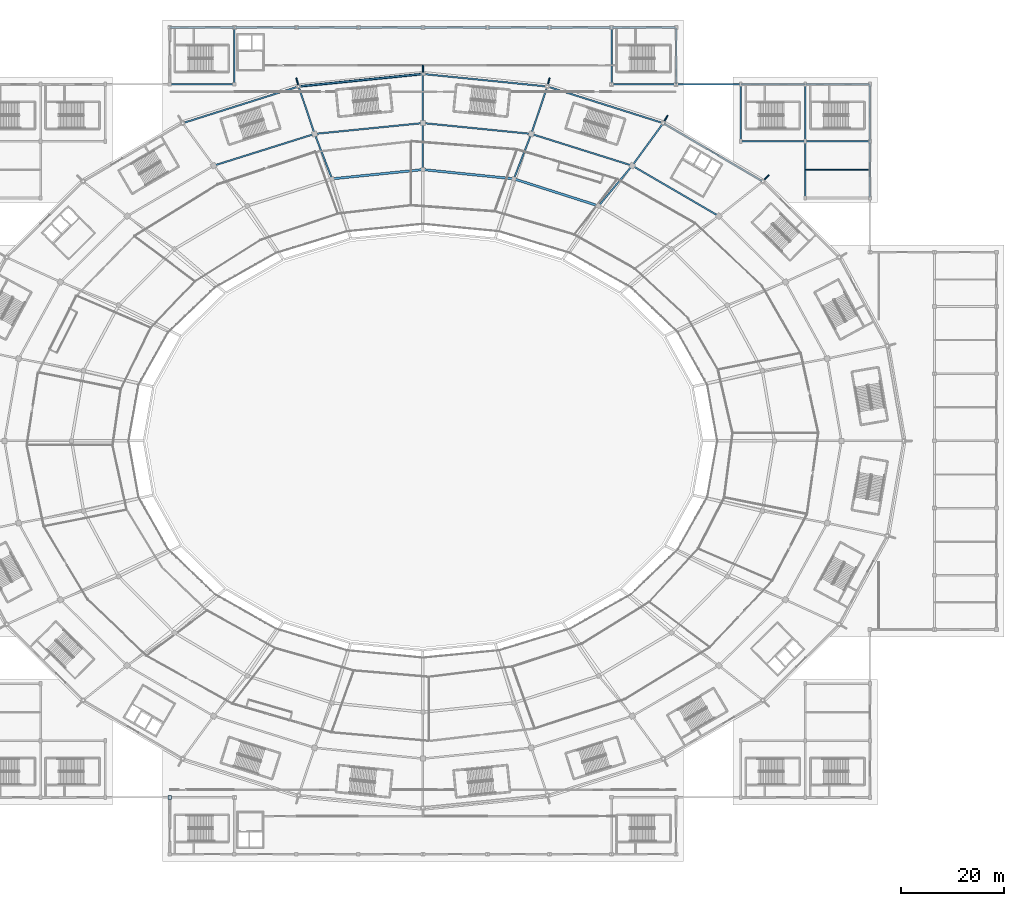
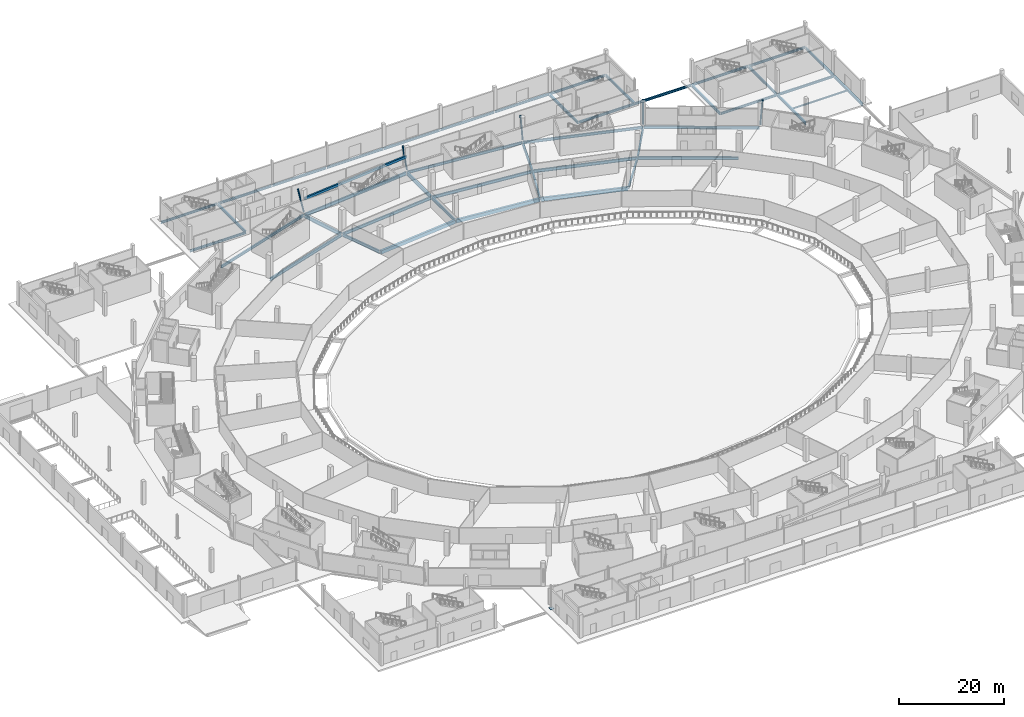
# One storey, part 27 of 82: 46 beams, 5 members, 1 plate.
"""IFC4 building model written with IfcOpenShell, lengths in metres."""

from ifc_helpers import new_model, si_unit, direction, frame, origin, origin_2d, place, context, subcontext, project, spatial, rectangle, hollow_circle, i_section, extrude, material, layer, layer_set, material_profile, profile_set, type_object, element, save


model = new_model("IFC4")

# Units and contexts
model_context = context("Model", 3, precision=1e-05, world=origin(), true_north=direction((0.0, 1.0)))
body_context = subcontext(model_context, "Body", "Model", "MODEL_VIEW")
ifc_project = project(units=[si_unit("LENGTHUNIT", "METRE"), si_unit("AREAUNIT", "SQUARE_METRE"), si_unit("VOLUMEUNIT", "CUBIC_METRE"), si_unit("PLANEANGLEUNIT", "RADIAN"), si_unit("MASSUNIT", "GRAM", prefix="KILO")], contexts=[model_context])

# Site, building, storey
site_placement = place(None, origin())
site = spatial("IfcSite", under=ifc_project, at=site_placement, CompositionType="ELEMENT")
building_placement = place(site_placement, origin())
building = spatial("IfcBuilding", under=site, at=building_placement, Name="Zlatoyarsky Gate Stadium", CompositionType="ELEMENT")
storey_placement = place(building_placement, origin())
storey = spatial("IfcBuildingStorey", under=building, at=storey_placement, Name="L00", CompositionType="ELEMENT", Elevation=0.0)

# Beams
ifc_material_1 = material(Name="Concrete C40/50", Category="concrete")
ifc_material_profile_1 = material_profile(ifc_material_1, rectangle(XDim=0.449951171875, YDim=0.800048828125, at=origin_2d()), Name="RC BEAM 450X800")
ifc_profile_set_1 = profile_set([ifc_material_profile_1], Name="Concrete C40/50")
beam_type_1 = type_object("IfcBeamType", Name="CONCRETE FLOOR BEAM 450X800", PredefinedType="BEAM", material=ifc_profile_set_1)
beam_1_placement = place(storey_placement, frame((144.8857421875, 125.5029296875, -0.75), z_axis=(-0.952480396568, 0.304599891914, 0.0), x_axis=(-0.304599891914, -0.952480396568, 0.0)))
element("IfcBeam", 1, at=beam_1_placement, inside=storey, type_object=beam_type_1, Name="Beam B-RC80 BM-L00-CRA-04", PredefinedType="BEAM", context=body_context, shape_type="SweptSolid", body=[
    extrude(rectangle(XDim=0.449951171875, YDim=0.800048828125, at=origin_2d()), origin(), (0.0, 0.0, 1.0), 16.978515625),
])
for number, where, z_axis, x_axis, name in (
    (2, (128.480224609375, 130.72314453125, -0.75), (-0.994873800639, 0.101124283941, 0.0), (-0.101124283941, -0.994873800639, 0.0), "Beam B-RC80 BM-L00-CRA-05"),
    (3, (110.880615234375, 132.48779296875, -0.75), (-0.994873800639, -0.101124283941, 0.0), (0.101124283941, -0.994873800639, 0.0), "Beam B-RC80 BM-L00-CRA-06"),
):
    element("IfcBeam", number, at=place(storey_placement, frame(where, z_axis=z_axis, x_axis=x_axis)), inside=storey, type_object=beam_type_1, Name=name, PredefinedType="BEAM", context=body_context, shape_type="SweptSolid", body=[
        extrude(rectangle(XDim=0.449951171875, YDim=0.800048828125, at=origin_2d()), origin(), (0.0, 0.0, 1.0), 17.4501953125),
    ])
ifc_material_profile_2 = material_profile(ifc_material_1, rectangle(XDim=0.35009765625, YDim=0.550048828125, at=origin_2d()), Name="RC LINTEL 350X550")
ifc_profile_set_2 = profile_set([ifc_material_profile_2], Name="Concrete C40/50")
beam_type_2 = type_object("IfcBeamType", Name="CONCRETE OPENING LINTEL 350X550", PredefinedType="LINTEL", material=ifc_profile_set_2)
beam_2_placement = place(storey_placement, frame((110.880615234375, 150.988037109375, 3.125), z_axis=(-0.994986905268, -0.100005291586, 0.0), x_axis=(0.100005291586, -0.994986905268, 0.0)))
element("IfcBeam", 4, at=beam_2_placement, inside=storey, type_object=beam_type_2, Name="Beam LN-RC55 BM-L00-LNT-06", PredefinedType="LINTEL", context=body_context, shape_type="SweptSolid", body=[
    extrude(rectangle(XDim=0.35009765625, YDim=0.550048828125, at=origin_2d()), origin(), (0.0, 0.0, 1.0), 23.951416015625),
])

# Members
ifc_material_2 = material(Name="Steel S355", Category="steel")
ifc_material_profile_3 = material_profile(ifc_material_2, hollow_circle(Radius=0.177734375, WallThickness=0.02001953125, at=origin_2d()), Name="CHS 355.6X20")
ifc_profile_set_3 = profile_set([ifc_material_profile_3], Name="Steel S355")
member_type = type_object("IfcMemberType", Name="STEEL LEANING RIB RING STRUT CHS 355.6X20", PredefinedType="STRUT", material=ifc_profile_set_3)
member_1_placement = place(storey_placement, frame((176.760986328125, 130.20458984375, 0.0), z_axis=(0.224639634245, 0.224687860873, 0.948183737417), x_axis=(-0.707182671369, 0.707030882858, 0.0)))
element("IfcMember", 5, at=member_1_placement, inside=storey, type_object=member_type, Name="Leaning ring strut 03 L00 to L01", PredefinedType="STRUT", context=body_context, shape_type="SweptSolid", body=[
    extrude(hollow_circle(Radius=0.177734375, WallThickness=0.02001953125, at=origin_2d()), origin(), (0.0, 0.0, 1.0), 5.062255859375),
])
member_2_placement = place(storey_placement, frame((157.5, 141.48779296875, 0.0), z_axis=(0.158857473848, 0.275179339945, 0.948177532886), x_axis=(-0.866049104564, 0.499958946799, 0.0)))
element("IfcMember", 6, at=member_2_placement, inside=storey, type_object=member_type, Name="Leaning ring strut 04 L00 to L01", PredefinedType="STRUT", context=body_context, shape_type="SweptSolid", body=[
    extrude(hollow_circle(Radius=0.177734375, WallThickness=0.02001953125, at=origin_2d()), origin(), (0.0, 0.0, 1.0), 5.0625),
])
member_3_placement = place(storey_placement, frame((135.0703125, 148.580810546875, 0.0), z_axis=(0.084764257312, 0.31638694049, 0.944835607167), x_axis=(-0.965934502333, 0.258786663494, 0.0)))
element("IfcMember", 7, at=member_3_placement, inside=storey, type_object=member_type, Name="Leaning ring strut 05 L00 to L01", PredefinedType="STRUT", context=body_context, shape_type="SweptSolid", body=[
    extrude(hollow_circle(Radius=0.177734375, WallThickness=0.02001953125, at=origin_2d()), origin(), (0.0, 0.0, 1.0), 4.910888671875),
])
member_4_placement = place(storey_placement, frame((111.0, 151.0, 0.0), z_axis=(0.0, 0.327525462718, 0.944842352603), x_axis=(-1.0, 0.0, 0.0)))
element("IfcMember", 8, at=member_4_placement, inside=storey, type_object=member_type, Name="Leaning ring strut 06 L00 to L01", PredefinedType="STRUT", context=body_context, shape_type="SweptSolid", body=[
    extrude(hollow_circle(Radius=0.177734375, WallThickness=0.02001953125, at=origin_2d()), origin(), (0.0, 0.0, 1.0), 4.91064453125),
])
member_5_placement = place(storey_placement, frame((86.9296875, 148.580810546875, 0.0), z_axis=(-0.084764257312, 0.31638694049, 0.944835607167), x_axis=(-0.965934502333, -0.258786663494, 0.0)))
element("IfcMember", 9, at=member_5_placement, inside=storey, type_object=member_type, Name="Leaning ring strut 07 L00 to L01", PredefinedType="STRUT", context=body_context, shape_type="SweptSolid", body=[
    extrude(hollow_circle(Radius=0.177734375, WallThickness=0.02001953125, at=origin_2d()), origin(), (0.0, 0.0, 1.0), 4.910888671875),
])

# Beams
ifc_material_profile_4 = material_profile(ifc_material_2, i_section(OverallWidth=0.300048828125, OverallDepth=0.5, WebThickness=0.014404296875, FlangeThickness=0.028076171875, FilletRadius=0.027099609375, at=origin_2d()), Name="HEB 500")
ifc_profile_set_4 = profile_set([ifc_material_profile_4], Name="Steel S355")
beam_type_3 = type_object("IfcBeamType", Name="STEEL PRIMARY GIRDER HEB 500", PredefinedType="BEAM", material=ifc_profile_set_4)
beam_3_placement = place(storey_placement, frame((111.080078125, 160.0, -0.60009765625), z_axis=(1.0, 0.0, 0.0), x_axis=(0.0, 1.0, 0.0)))
element("IfcBeam", 10, at=beam_3_placement, inside=storey, type_object=beam_type_3, Name="Beam G-HEB500 BM-L00-WGX-10-Q", PredefinedType="BEAM", context=body_context, shape_type="SweptSolid", body=[
    extrude(i_section(OverallWidth=0.300048828125, OverallDepth=0.5, WebThickness=0.014404296875, FlangeThickness=0.028076171875, FilletRadius=0.027099609375, at=origin_2d()), origin(), (0.0, 0.0, 1.0), 12.33984375),
])
for number, where, z_axis, x_axis, name in (
    (11, (123.580078125, 160.0, -0.60009765625), (1.0, 0.0, 0.0), (0.0, 1.0, 0.0), "Beam G-HEB500 BM-L00-WGX-11-Q"),
    (12, (135.580078125, 160.0, -0.60009765625), (1.0, 0.0, 0.0), (0.0, 1.0, 0.0), "Beam G-HEB500 BM-L00-WGX-12-Q"),
):
    element("IfcBeam", number, at=place(storey_placement, frame(where, z_axis=z_axis, x_axis=x_axis)), inside=storey, type_object=beam_type_3, Name=name, PredefinedType="BEAM", context=body_context, shape_type="SweptSolid", body=[
        extrude(i_section(OverallWidth=0.300048828125, OverallDepth=0.5, WebThickness=0.014404296875, FlangeThickness=0.028076171875, FilletRadius=0.027099609375, at=origin_2d()), origin(), (0.0, 0.0, 1.0), 11.83984375),
    ])
for number, where, z_axis, x_axis, name in (
    (13, (147.580078125, 149.0, -0.60009765625), (1.0, 0.0, 0.0), (0.0, 1.0, 0.0), "Beam G-HEB500 BM-L00-WGX-13-P"),
    (14, (147.580078125, 160.0, -0.60009765625), (1.0, 0.0, 0.0), (0.0, 1.0, 0.0), "Beam G-HEB500 BM-L00-WGX-13-Q"),
    (15, (160.080078125, 149.0, -0.60009765625), (1.0, 0.0, 0.0), (0.0, 1.0, 0.0), "Beam G-HEB500 BM-L00-WGX-14-P"),
    (16, (172.580078125, 138.0, -0.60009765625), (1.0, 0.0, 0.0), (0.0, 1.0, 0.0), "Beam G-HEB500 BM-L00-WGX-15-N"),
    (17, (172.580078125, 149.0, -0.60009765625), (1.0, 0.0, 0.0), (0.0, 1.0, 0.0), "Beam G-HEB500 BM-L00-WGX-15-P"),
    (18, (185.080078125, 138.0, -0.60009765625), (1.0, 0.0, 0.0), (0.0, 1.0, 0.0), "Beam G-HEB500 BM-L00-WGX-16-N"),
    (19, (185.080078125, 149.0, -0.60009765625), (1.0, 0.0, 0.0), (0.0, 1.0, 0.0), "Beam G-HEB500 BM-L00-WGX-16-P"),
    (20, (62.080078125, 149.0, -0.60009765625), (1.0, 0.0, 0.0), (0.0, 1.0, 0.0), "Beam G-HEB500 BM-L00-WGX-6-P"),
    (21, (62.080078125, 160.0, -0.60009765625), (1.0, 0.0, 0.0), (0.0, 1.0, 0.0), "Beam G-HEB500 BM-L00-WGX-6-Q"),
):
    element("IfcBeam", number, at=place(storey_placement, frame(where, z_axis=z_axis, x_axis=x_axis)), inside=storey, type_object=beam_type_3, Name=name, PredefinedType="BEAM", context=body_context, shape_type="SweptSolid", body=[
        extrude(i_section(OverallWidth=0.300048828125, OverallDepth=0.5, WebThickness=0.014404296875, FlangeThickness=0.028076171875, FilletRadius=0.027099609375, at=origin_2d()), origin(), (0.0, 0.0, 1.0), 12.33984375),
    ])
for number, where, z_axis, x_axis, name in (
    (22, (74.580078125, 160.0, -0.60009765625), (1.0, 0.0, 0.0), (0.0, 1.0, 0.0), "Beam G-HEB500 BM-L00-WGX-7-Q"),
    (23, (86.580078125, 160.0, -0.60009765625), (1.0, 0.0, 0.0), (0.0, 1.0, 0.0), "Beam G-HEB500 BM-L00-WGX-8-Q"),
):
    element("IfcBeam", number, at=place(storey_placement, frame(where, z_axis=z_axis, x_axis=x_axis)), inside=storey, type_object=beam_type_3, Name=name, PredefinedType="BEAM", context=body_context, shape_type="SweptSolid", body=[
        extrude(i_section(OverallWidth=0.300048828125, OverallDepth=0.5, WebThickness=0.014404296875, FlangeThickness=0.028076171875, FilletRadius=0.027099609375, at=origin_2d()), origin(), (0.0, 0.0, 1.0), 11.83984375),
    ])
beam_4_placement = place(storey_placement, frame((98.580078125, 160.0, -0.60009765625), z_axis=(1.0, 0.0, 0.0), x_axis=(0.0, 1.0, 0.0)))
element("IfcBeam", 24, at=beam_4_placement, inside=storey, type_object=beam_type_3, Name="Beam G-HEB500 BM-L00-WGX-9-Q", PredefinedType="BEAM", context=body_context, shape_type="SweptSolid", body=[
    extrude(i_section(OverallWidth=0.300048828125, OverallDepth=0.5, WebThickness=0.014404296875, FlangeThickness=0.028076171875, FilletRadius=0.027099609375, at=origin_2d()), origin(), (0.0, 0.0, 1.0), 12.33984375),
])
ifc_material_profile_5 = material_profile(ifc_material_2, i_section(OverallWidth=0.300048828125, OverallDepth=0.60009765625, WebThickness=0.015380859375, FlangeThickness=0.030029296875, FilletRadius=0.027099609375, at=origin_2d()), Name="HEB 600")
ifc_profile_set_5 = profile_set([ifc_material_profile_5], Name="Steel S355")
beam_type_4 = type_object("IfcBeamType", Name="STEEL PRIMARY GIRDER HEB 600", PredefinedType="BEAM", material=ifc_profile_set_5)
beam_5_placement = place(storey_placement, frame((176.657470703125, 130.265380859375, -0.64990234375), z_axis=(-0.862854775092, 0.505451913738, 0.0), x_axis=(-0.505451913738, -0.862854775092, 0.0)))
element("IfcBeam", 25, at=beam_5_placement, inside=storey, type_object=beam_type_4, Name="Beam G-HEB600 BM-L00-CRC-03", PredefinedType="BEAM", context=body_context, shape_type="SweptSolid", body=[
    extrude(i_section(OverallWidth=0.300048828125, OverallDepth=0.60009765625, WebThickness=0.015380859375, FlangeThickness=0.030029296875, FilletRadius=0.027099609375, at=origin_2d()), origin(), (0.0, 0.0, 1.0), 22.08251953125),
])
beam_6_placement = place(storey_placement, frame((157.385498046875, 141.52392578125, -0.64990234375), z_axis=(-0.953463107403, 0.301509706015, 0.0), x_axis=(-0.301509706015, -0.953463107403, 0.0)))
element("IfcBeam", 26, at=beam_6_placement, inside=storey, type_object=beam_type_4, Name="Beam G-HEB600 BM-L00-CRC-04", PredefinedType="BEAM", context=body_context, shape_type="SweptSolid", body=[
    extrude(i_section(OverallWidth=0.300048828125, OverallDepth=0.60009765625, WebThickness=0.015380859375, FlangeThickness=0.030029296875, FilletRadius=0.027099609375, at=origin_2d()), origin(), (0.0, 0.0, 1.0), 23.284423828125),
])
beam_7_placement = place(storey_placement, frame((134.95068359375, 148.5927734375, -0.64990234375), z_axis=(-0.994986905268, 0.100005291586, 0.0), x_axis=(-0.100005291586, -0.994986905268, 0.0)))
element("IfcBeam", 27, at=beam_7_placement, inside=storey, type_object=beam_type_4, Name="Beam G-HEB600 BM-L00-CRC-05", PredefinedType="BEAM", context=body_context, shape_type="SweptSolid", body=[
    extrude(i_section(OverallWidth=0.300048828125, OverallDepth=0.60009765625, WebThickness=0.015380859375, FlangeThickness=0.030029296875, FilletRadius=0.027099609375, at=origin_2d()), origin(), (0.0, 0.0, 1.0), 23.951416015625),
])
beam_8_placement = place(storey_placement, frame((86.8154296875, 148.54443359375, -0.64990234375), z_axis=(-0.953463107403, -0.301509706015, 0.0), x_axis=(0.301509706015, -0.953463107403, 0.0)))
element("IfcBeam", 28, at=beam_8_placement, inside=storey, type_object=beam_type_4, Name="Beam G-HEB600 BM-L00-CRC-07", PredefinedType="BEAM", context=body_context, shape_type="SweptSolid", body=[
    extrude(i_section(OverallWidth=0.300048828125, OverallDepth=0.60009765625, WebThickness=0.015380859375, FlangeThickness=0.030029296875, FilletRadius=0.027099609375, at=origin_2d()), origin(), (0.0, 0.0, 1.0), 23.284423828125),
])
for number, where, z_axis, x_axis, name in (
    (29, (147.5, 149.080078125, -0.64990234375), (0.0, 1.0, 0.0), (-1.0, 0.0, 0.0), "Beam G-HEB600 BM-L00-WGY-13-P"),
    (30, (160.0, 149.080078125, -0.64990234375), (0.0, 1.0, 0.0), (-1.0, 0.0, 0.0), "Beam G-HEB600 BM-L00-WGY-14-P"),
    (31, (172.5, 138.080078125, -0.64990234375), (0.0, 1.0, 0.0), (-1.0, 0.0, 0.0), "Beam G-HEB600 BM-L00-WGY-15-N"),
    (32, (185.0, 127.080078125, -0.64990234375), (0.0, 1.0, 0.0), (-1.0, 0.0, 0.0), "Beam G-HEB600 BM-L00-WGY-16-M"),
    (33, (185.0, 138.080078125, -0.64990234375), (0.0, 1.0, 0.0), (-1.0, 0.0, 0.0), "Beam G-HEB600 BM-L00-WGY-16-N"),
    (34, (197.5, 127.080078125, -0.64990234375), (0.0, 1.0, 0.0), (-1.0, 0.0, 0.0), "Beam G-HEB600 BM-L00-WGY-17-M"),
    (35, (197.5, 138.080078125, -0.64990234375), (0.0, 1.0, 0.0), (-1.0, 0.0, 0.0), "Beam G-HEB600 BM-L00-WGY-17-N"),
    (36, (74.5, 149.080078125, -0.64990234375), (0.0, 1.0, 0.0), (-1.0, 0.0, 0.0), "Beam G-HEB600 BM-L00-WGY-7-P"),
):
    element("IfcBeam", number, at=place(storey_placement, frame(where, z_axis=z_axis, x_axis=x_axis)), inside=storey, type_object=beam_type_4, Name=name, PredefinedType="BEAM", context=body_context, shape_type="SweptSolid", body=[
        extrude(i_section(OverallWidth=0.300048828125, OverallDepth=0.60009765625, WebThickness=0.015380859375, FlangeThickness=0.030029296875, FilletRadius=0.027099609375, at=origin_2d()), origin(), (0.0, 0.0, 1.0), 10.83984375),
    ])
ifc_material_profile_6 = material_profile(ifc_material_2, i_section(OverallWidth=0.300048828125, OverallDepth=0.699951171875, WebThickness=0.01708984375, FlangeThickness=0.031982421875, FilletRadius=0.027099609375, at=origin_2d()), Name="HEB 700")
ifc_profile_set_6 = profile_set([ifc_material_profile_6], Name="Steel S355")
beam_type_5 = type_object("IfcBeamType", Name="STEEL PRIMARY GIRDER HEB 700", PredefinedType="BEAM", material=ifc_profile_set_6)
beam_9_placement = place(storey_placement, frame((168.171875, 123.547607421875, -0.699951171875), z_axis=(-0.864054462945, 0.503398336375, 0.0), x_axis=(-0.503398336375, -0.864054462945, 0.0)))
element("IfcBeam", 37, at=beam_9_placement, inside=storey, type_object=beam_type_5, Name="Beam G-HEB700 BM-L00-CRB-03", PredefinedType="BEAM", context=body_context, shape_type="SweptSolid", body=[
    extrude(i_section(OverallWidth=0.300048828125, OverallDepth=0.699951171875, WebThickness=0.01708984375, FlangeThickness=0.031982421875, FilletRadius=0.027099609375, at=origin_2d()), origin(), (0.0, 0.0, 1.0), 19.1748046875),
])
beam_10_placement = place(storey_placement, frame((145.076904296875, 125.55859375, -0.699951171875), z_axis=(0.640460635814, 0.767990998627, 0.0), x_axis=(-0.767990998627, 0.640460635814, 0.0)))
element("IfcBeam", 38, at=beam_10_placement, inside=storey, type_object=beam_type_5, Name="Beam G-HEB700 BM-L00-RAB-04", PredefinedType="BEAM", context=body_context, shape_type="SweptSolid", body=[
    extrude(i_section(OverallWidth=0.300048828125, OverallDepth=0.699951171875, WebThickness=0.01708984375, FlangeThickness=0.031982421875, FilletRadius=0.027099609375, at=origin_2d()), origin(), (0.0, 0.0, 1.0), 9.90869140625),
])
beam_11_placement = place(storey_placement, frame((151.385498046875, 133.296630859375, -0.699951171875), z_axis=(-0.953937507984, 0.300005384719, 0.0), x_axis=(-0.300005384719, -0.953937507984, 0.0)))
element("IfcBeam", 39, at=beam_11_placement, inside=storey, type_object=beam_type_5, Name="Beam G-HEB700 BM-L00-CRB-04", PredefinedType="BEAM", context=body_context, shape_type="SweptSolid", body=[
    extrude(i_section(OverallWidth=0.300048828125, OverallDepth=0.699951171875, WebThickness=0.01708984375, FlangeThickness=0.031982421875, FilletRadius=0.027099609375, at=origin_2d()), origin(), (0.0, 0.0, 1.0), 20.239013671875),
])
beam_12_placement = place(storey_placement, frame((128.64306640625, 130.822998046875, -0.699951171875), z_axis=(0.36092924223, 0.932593202904, 0.0), x_axis=(-0.932593202904, 0.36092924223, 0.0)))
element("IfcBeam", 40, at=beam_12_placement, inside=storey, type_object=beam_type_5, Name="Beam G-HEB700 BM-L00-RAB-05", PredefinedType="BEAM", context=body_context, shape_type="SweptSolid", body=[
    extrude(i_section(OverallWidth=0.300048828125, OverallDepth=0.699951171875, WebThickness=0.01708984375, FlangeThickness=0.031982421875, FilletRadius=0.027099609375, at=origin_2d()), origin(), (0.0, 0.0, 1.0), 9.08154296875),
])
beam_13_placement = place(storey_placement, frame((131.844970703125, 139.416259765625, -0.699951171875), z_axis=(-0.995040903182, 0.099466582298, 0.0), x_axis=(-0.099466582298, -0.995040903182, 0.0)))
element("IfcBeam", 41, at=beam_13_placement, inside=storey, type_object=beam_type_5, Name="Beam G-HEB700 BM-L00-CRB-05", PredefinedType="BEAM", context=body_context, shape_type="SweptSolid", body=[
    extrude(i_section(OverallWidth=0.300048828125, OverallDepth=0.699951171875, WebThickness=0.01708984375, FlangeThickness=0.031982421875, FilletRadius=0.027099609375, at=origin_2d()), origin(), (0.0, 0.0, 1.0), 20.828857421875),
])
beam_14_placement = place(storey_placement, frame((111.0, 132.6201171875, -0.699951171875), z_axis=(0.0, 1.0, 0.0), x_axis=(-1.0, 0.0, 0.0)))
element("IfcBeam", 42, at=beam_14_placement, inside=storey, type_object=beam_type_5, Name="Beam G-HEB700 BM-L00-RAB-06", PredefinedType="BEAM", context=body_context, shape_type="SweptSolid", body=[
    extrude(i_section(OverallWidth=0.300048828125, OverallDepth=0.699951171875, WebThickness=0.01708984375, FlangeThickness=0.031982421875, FilletRadius=0.027099609375, at=origin_2d()), origin(), (0.0, 0.0, 1.0), 8.759765625),
])
beam_15_placement = place(storey_placement, frame((110.880615234375, 141.488037109375, -0.699951171875), z_axis=(-0.995040903182, -0.099466582298, 0.0), x_axis=(0.099466582298, -0.995040903182, 0.0)))
element("IfcBeam", 43, at=beam_15_placement, inside=storey, type_object=beam_type_5, Name="Beam G-HEB700 BM-L00-CRB-06", PredefinedType="BEAM", context=body_context, shape_type="SweptSolid", body=[
    extrude(i_section(OverallWidth=0.300048828125, OverallDepth=0.699951171875, WebThickness=0.01708984375, FlangeThickness=0.031982421875, FilletRadius=0.027099609375, at=origin_2d()), origin(), (0.0, 0.0, 1.0), 20.828857421875),
])
beam_16_placement = place(storey_placement, frame((93.35693359375, 130.822998046875, -0.699951171875), z_axis=(-0.36092924223, 0.932593202904, 0.0), x_axis=(-0.932593202904, -0.36092924223, 0.0)))
element("IfcBeam", 44, at=beam_16_placement, inside=storey, type_object=beam_type_5, Name="Beam G-HEB700 BM-L00-RAB-07", PredefinedType="BEAM", context=body_context, shape_type="SweptSolid", body=[
    extrude(i_section(OverallWidth=0.300048828125, OverallDepth=0.699951171875, WebThickness=0.01708984375, FlangeThickness=0.031982421875, FilletRadius=0.027099609375, at=origin_2d()), origin(), (0.0, 0.0, 1.0), 9.08154296875),
])
beam_17_placement = place(storey_placement, frame((89.921142578125, 139.368408203125, -0.699951171875), z_axis=(-0.953937507984, -0.300005384719, 0.0), x_axis=(0.300005384719, -0.953937507984, 0.0)))
element("IfcBeam", 45, at=beam_17_placement, inside=storey, type_object=beam_type_5, Name="Beam G-HEB700 BM-L00-CRB-07", PredefinedType="BEAM", context=body_context, shape_type="SweptSolid", body=[
    extrude(i_section(OverallWidth=0.300048828125, OverallDepth=0.699951171875, WebThickness=0.01708984375, FlangeThickness=0.031982421875, FilletRadius=0.027099609375, at=origin_2d()), origin(), (0.0, 0.0, 1.0), 20.239013671875),
])
ifc_material_profile_7 = material_profile(ifc_material_2, i_section(OverallWidth=0.300048828125, OverallDepth=0.800048828125, WebThickness=0.017578125, FlangeThickness=0.032958984375, FilletRadius=0.030029296875, at=origin_2d()), Name="HEB 800")
ifc_profile_set_7 = profile_set([ifc_material_profile_7], Name="Steel S355")
beam_type_6 = type_object("IfcBeamType", Name="STEEL PRIMARY GIRDER HEB 800", PredefinedType="BEAM", material=ifc_profile_set_7)
beam_18_placement = place(storey_placement, frame((151.57080078125, 133.357666015625, -0.75), z_axis=(0.589228266457, 0.807966614415, 0.0), x_axis=(-0.807966614415, 0.589228266457, 0.0)))
element("IfcBeam", 46, at=beam_18_placement, inside=storey, type_object=beam_type_6, Name="Beam G-HEB800 BM-L00-RBC-04", PredefinedType="BEAM", context=body_context, shape_type="SweptSolid", body=[
    extrude(i_section(OverallWidth=0.300048828125, OverallDepth=0.800048828125, WebThickness=0.017578125, FlangeThickness=0.032958984375, FilletRadius=0.030029296875, at=origin_2d()), origin(), (0.0, 0.0, 1.0), 9.9423828125),
])
beam_19_placement = place(storey_placement, frame((132.002685546875, 139.51806640625, -0.75), z_axis=(0.320612225581, 0.947210536686, 0.0), x_axis=(-0.947210536686, 0.320612225581, 0.0)))
element("IfcBeam", 47, at=beam_19_placement, inside=storey, type_object=beam_type_6, Name="Beam G-HEB800 BM-L00-RBC-05", PredefinedType="BEAM", context=body_context, shape_type="SweptSolid", body=[
    extrude(i_section(OverallWidth=0.300048828125, OverallDepth=0.800048828125, WebThickness=0.017578125, FlangeThickness=0.032958984375, FilletRadius=0.030029296875, at=origin_2d()), origin(), (0.0, 0.0, 1.0), 9.44775390625),
])
beam_20_placement = place(storey_placement, frame((111.0, 141.6201171875, -0.75), z_axis=(0.0, 1.0, 0.0), x_axis=(-1.0, 0.0, 0.0)))
element("IfcBeam", 48, at=beam_20_placement, inside=storey, type_object=beam_type_6, Name="Beam G-HEB800 BM-L00-RBC-06", PredefinedType="BEAM", context=body_context, shape_type="SweptSolid", body=[
    extrude(i_section(OverallWidth=0.300048828125, OverallDepth=0.800048828125, WebThickness=0.017578125, FlangeThickness=0.032958984375, FilletRadius=0.030029296875, at=origin_2d()), origin(), (0.0, 0.0, 1.0), 9.259765625),
])
beam_21_placement = place(storey_placement, frame((110.880615234375, 150.988037109375, -0.75), z_axis=(-0.994986905268, -0.100005291586, 0.0), x_axis=(0.100005291586, -0.994986905268, 0.0)))
element("IfcBeam", 49, at=beam_21_placement, inside=storey, type_object=beam_type_6, Name="Beam G-HEB800 BM-L00-CRC-06", PredefinedType="BEAM", context=body_context, shape_type="SweptSolid", body=[
    extrude(i_section(OverallWidth=0.300048828125, OverallDepth=0.800048828125, WebThickness=0.017578125, FlangeThickness=0.032958984375, FilletRadius=0.030029296875, at=origin_2d()), origin(), (0.0, 0.0, 1.0), 23.951416015625),
])
beam_22_placement = place(storey_placement, frame((89.997314453125, 139.51806640625, -0.75), z_axis=(-0.320612225581, 0.947210536686, 0.0), x_axis=(-0.947210536686, -0.320612225581, 0.0)))
element("IfcBeam", 50, at=beam_22_placement, inside=storey, type_object=beam_type_6, Name="Beam G-HEB800 BM-L00-RBC-07", PredefinedType="BEAM", context=body_context, shape_type="SweptSolid", body=[
    extrude(i_section(OverallWidth=0.300048828125, OverallDepth=0.800048828125, WebThickness=0.017578125, FlangeThickness=0.032958984375, FilletRadius=0.030029296875, at=origin_2d()), origin(), (0.0, 0.0, 1.0), 9.44775390625),
])
ifc_material_profile_8 = material_profile(ifc_material_2, i_section(OverallWidth=0.169921875, OverallDepth=0.360107421875, WebThickness=0.008056640625, FlangeThickness=0.0126953125, FilletRadius=0.01806640625, at=origin_2d()), Name="IPE 360")
ifc_profile_set_8 = profile_set([ifc_material_profile_8], Name="Steel S355")
beam_type_7 = type_object("IfcBeamType", Name="STEEL SECONDARY JOIST IPE 360", PredefinedType="JOIST", material=ifc_profile_set_8)
beam_23_placement = place(storey_placement, frame((185.090087890625, 132.5, -0.530029296875), z_axis=(1.0, 0.0, 0.0), x_axis=(0.0, 1.0, 0.0)))
element("IfcBeam", 51, at=beam_23_placement, inside=storey, type_object=beam_type_7, Name="Beam J-IPE360 JST-L00-16-M", PredefinedType="JOIST", context=body_context, shape_type="SweptSolid", body=[
    extrude(i_section(OverallWidth=0.169921875, OverallDepth=0.360107421875, WebThickness=0.008056640625, FlangeThickness=0.0126953125, FilletRadius=0.01806640625, at=origin_2d()), origin(), (0.0, 0.0, 1.0), 12.31982421875),
])

# Plate
ifc_layer = layer(ifc_material_2, 0.0400390625)
ifc_layer_set = layer_set([ifc_layer], Name="Steel S355")
plate_type = type_object("IfcPlateType", Name="STEEL COLUMN BASE PLATE 40", PredefinedType="USERDEFINED", material=ifc_layer_set)
plate_placement = place(storey_placement, frame((62.0, 11.0, 0.0), z_axis=(0.0, 0.0, 1.0), x_axis=(1.0, 0.0, 0.0)))
element("IfcPlate", 52, at=plate_placement, inside=storey, type_object=plate_type, Name="Column base plate BP-01 at WG-6-B L00", ObjectType="BASE PLATE", PredefinedType="USERDEFINED", context=body_context, shape_type="SweptSolid", body=[
    extrude(rectangle(XDim=0.75, YDim=0.75, at=origin_2d()), origin(), (0.0, 0.0, 1.0), 0.0400390625),
])

save(model, "model.ifc")
